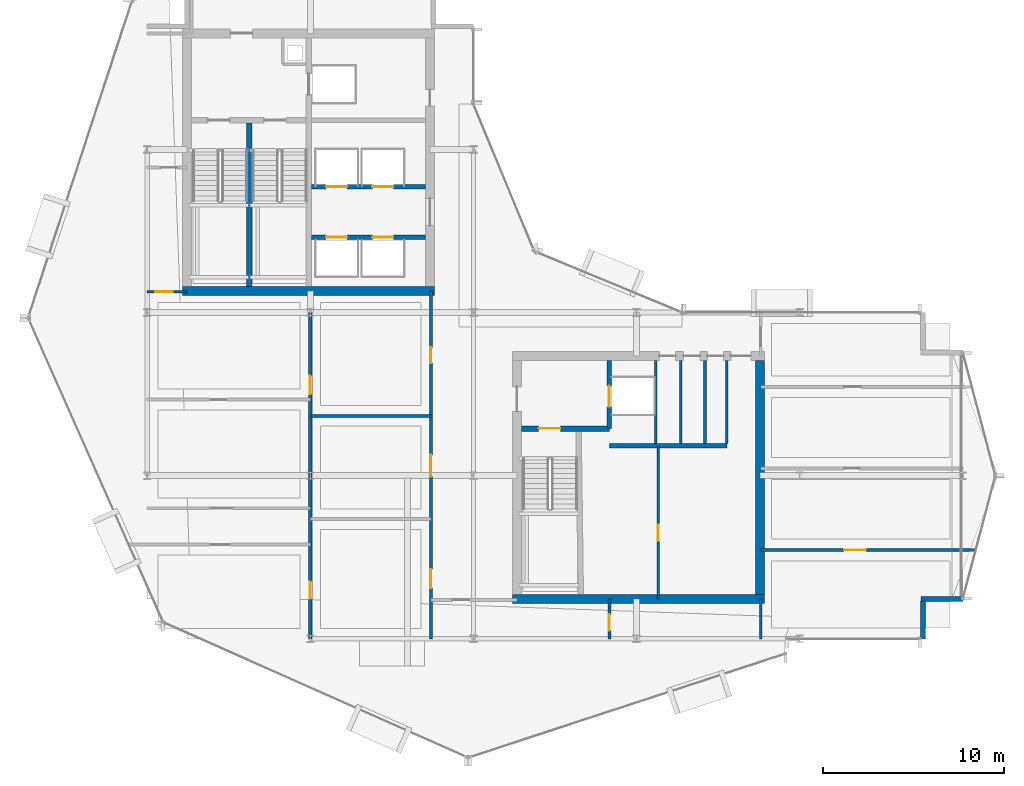
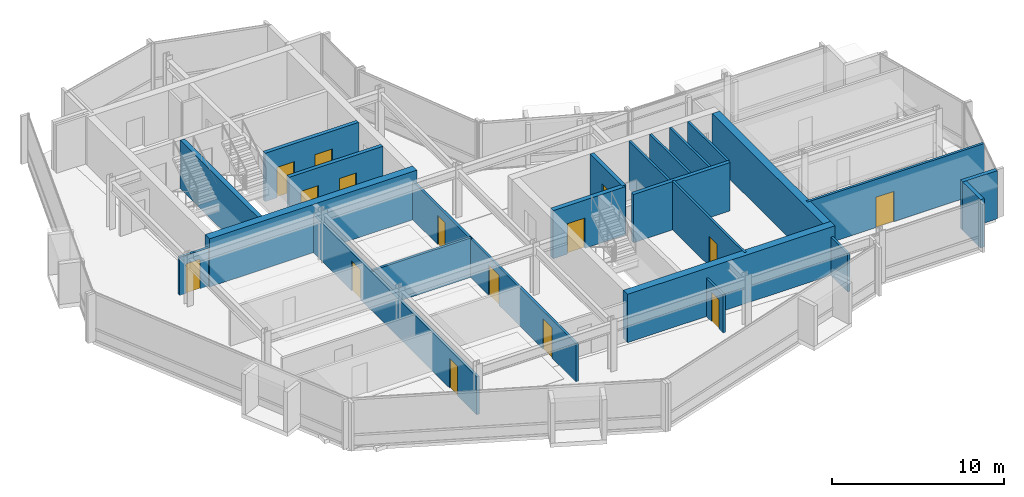
# One storey, part 20 of 28: 23 walls, 15 doors, 15 openings.
"""IFC4 building model written with IfcOpenShell, lengths in metres."""

from ifc_helpers import new_model, si_unit, direction, frame, frame_2d, origin, place, context, subcontext, project, spatial, rectangle, extrude, material, layer, layer_set, type_object, element, fill, save


model = new_model("IFC4")

# Units and contexts
model_context = context("Model", 3, precision=1e-05, world=origin(), true_north=direction((0.0, 1.0)))
body_context = subcontext(model_context, "Body", "Model", "MODEL_VIEW")
ifc_project = project(units=[si_unit("LENGTHUNIT", "METRE"), si_unit("AREAUNIT", "SQUARE_METRE"), si_unit("VOLUMEUNIT", "CUBIC_METRE"), si_unit("PLANEANGLEUNIT", "RADIAN"), si_unit("MASSUNIT", "GRAM", prefix="KILO")], contexts=[model_context])

# Site, building, storey
site_placement = place(None, origin())
site = spatial("IfcSite", under=ifc_project, at=site_placement, CompositionType="ELEMENT")
building_placement = place(site_placement, origin())
building = spatial("IfcBuilding", under=site, at=building_placement, Name="Solvaryn Broadcast Tower", CompositionType="ELEMENT")
storey_placement = place(building_placement, frame((0.0, 0.0, 209.89990234375)))
storey = spatial("IfcBuildingStorey", under=building, at=storey_placement, Name="L52", CompositionType="ELEMENT", Elevation=209.89990234375)

# Walls
ifc_material_1 = material(Name="Concrete f'c 70 MPa", Category="concrete")
ifc_layer_1 = layer(ifc_material_1, 0.5)
ifc_layer_set_1 = layer_set([ifc_layer_1], Name="CW-SHEAR-500")
wall_type_1 = type_object("IfcWallType", Name="CW-SHEAR-500", PredefinedType="SHEAR", material=ifc_layer_set_1)
for number, where, z_axis, x_axis, name in (
    (1, (10.949951171875, 28.199951171875, 0.0), (0.0, 0.0, 1.0), (1.0, 0.0, 0.0), "L52 West Core South Shear Wall"),
    (2, (29.14990234375, 11.199951171875, 0.0), (0.0, 0.0, 1.0), (1.0, 0.0, 0.0), "L52 East Core South Shear Wall"),
):
    element("IfcWall", number, at=place(storey_placement, frame(where, z_axis=z_axis, x_axis=x_axis)), inside=storey, type_object=wall_type_1, Name=name, PredefinedType="SHEAR", context=body_context, shape_type="SweptSolid", body=[
        extrude(rectangle(XDim=13.900146484375, YDim=0.5, at=frame_2d((6.9501953125, 0.0))), origin(), (0.0, 0.0, 1.0), 3.420166015625),
    ])
wall_1_placement = place(storey_placement, frame((42.800048828125, 11.449951171875, 0.0), z_axis=(0.0, 0.0, 1.0), x_axis=(0.0, 1.0, 0.0)))
element("IfcWall", 3, at=wall_1_placement, inside=storey, type_object=wall_type_1, Name="L52 East Core East Shear Wall", PredefinedType="SHEAR", context=body_context, shape_type="SweptSolid", body=[
    extrude(rectangle(XDim=12.900146484375, YDim=0.5, at=frame_2d((6.4501953125, 0.0))), origin(), (0.0, 0.0, 1.0), 3.420166015625),
])
ifc_material_2 = material(Name="Concrete f'c 50 MPa", Category="concrete")
ifc_layer_2 = layer(ifc_material_2, 0.260009765625)
ifc_layer_set_2 = layer_set([ifc_layer_2], Name="EW-PIER-260")
wall_type_2 = type_object("IfcWallType", Name="EW-PIER-260", PredefinedType="SOLIDWALL", material=ifc_layer_set_2)
wall_2_placement = place(storey_placement, frame((51.800048828125, 9.0, 0.0), z_axis=(0.0, 0.0, 1.0), x_axis=(0.0, 1.0, 0.0)))
element("IfcWall", 4, at=wall_2_placement, inside=storey, type_object=wall_type_2, Name="L52 Notched Corner Pier Wall NSE1", PredefinedType="SOLIDWALL", context=body_context, shape_type="SweptSolid", body=[
    extrude(rectangle(XDim=2.080078125, YDim=0.260009765625, at=frame_2d((1.0400390625, 0.0))), origin(), (0.0, 0.0, 1.0), 3.420166015625),
])
wall_3_placement = place(storey_placement, frame((51.679931640625, 11.199951171875, 0.0), z_axis=(0.0, 0.0, 1.0), x_axis=(1.0, 0.0, 0.0)))
element("IfcWall", 5, at=wall_3_placement, inside=storey, type_object=wall_type_2, Name="L52 Notched Corner Pier Wall NSE2", PredefinedType="SOLIDWALL", context=body_context, shape_type="SweptSolid", body=[
    extrude(rectangle(XDim=2.320068359375, YDim=0.260009765625, at=frame_2d((1.16015625, 0.0))), origin(), (0.0, 0.0, 1.0), 3.420166015625),
])

# Wall, opening, door
ifc_material_3 = material(Name="Metal-Stud Service Core Partition")
ifc_layer_3 = layer(ifc_material_3, 0.14990234375)
ifc_layer_set_3 = layer_set([ifc_layer_3], Name="IW-PART-150")
wall_type_3 = type_object("IfcWallType", Name="IW-PART-150", PredefinedType="PARTITIONING", material=ifc_layer_set_3)
wall_4_placement = place(storey_placement, frame((37.199951171875, 11.199951171875, 0.0), z_axis=(0.0, 0.0, 1.0), x_axis=(0.0, 1.0, 0.0)))
wall_4 = element("IfcWall", 6, at=wall_4_placement, inside=storey, type_object=wall_type_3, Name="L52 Interior Partition IW-L52-RPM-V", PredefinedType="PARTITIONING", context=body_context, shape_type="SweptSolid", body=[
    extrude(rectangle(XDim=8.400146484375, YDim=0.14990234375, at=frame_2d((4.2001953125, 0.0))), origin(), (0.0, 0.0, 1.0), 3.420166015625),
])
opening_1_placement = place(wall_4_placement, frame((3.199951171875, 0.0, 0.0)))
opening_1 = element("IfcOpeningElement", 7, at=opening_1_placement, cuts=wall_4, Name="Opening FD60C", PredefinedType="OPENING", context=body_context, shape_type="SweptSolid", body=[
    extrude(rectangle(XDim=0.89990234375, YDim=2.10009765625, at=frame_2d((0.449951171875, 1.050048828125))), frame((0.0, 0.0849609375, 0.0), z_axis=(0.0, -1.0, 0.0), x_axis=(1.0, 0.0, 0.0)), (0.0, 0.0, 1.0), 0.169921875),
])
ifc_material_4 = material(Name="Flush Acoustic Steel and Timber Door Assembly", Category="steel")
door_type_1 = type_object("IfcDoorType", Name="FD60-SERV-900X2100", OperationType="NOTDEFINED", PredefinedType="DOOR", material=ifc_material_4)
door_1_placement = place(opening_1_placement, origin())
door_1 = element("IfcDoor", 8, at=door_1_placement, inside=storey, type_object=door_type_1, Name="L52 Door DR-L52-RPM1", OperationType="SINGLE_SWING_LEFT", OverallHeight=2.10009765625, OverallWidth=0.89990234375, PredefinedType="DOOR", context=body_context, shape_type="SweptSolid", body=[
    extrude(rectangle(XDim=0.89990234375, YDim=2.10009765625, at=frame_2d((0.449951171875, 1.050048828125))), frame((0.0, 0.02490234375, 0.0), z_axis=(0.0, -1.0, 0.0), x_axis=(1.0, 0.0, 0.0)), (0.0, 0.0, 1.0), 0.050048828125),
])
fill(opening_1, door_1)

# Walls
for number, where, z_axis, x_axis, name in (
    (9, (37.050048828125, 19.780029296875, 0.0), (0.0, 0.0, 1.0), (0.0, 1.0, 0.0), "L52 Interior Partition IW-L52-CE-FL2E"),
    (10, (38.43994140625, 19.780029296875, 0.0), (0.0, 0.0, 1.0), (0.0, 1.0, 0.0), "L52 Interior Partition IW-L52-CE-V1"),
    (11, (39.77001953125, 19.780029296875, 0.0), (0.0, 0.0, 1.0), (0.0, 1.0, 0.0), "L52 Interior Partition IW-L52-CE-V2"),
    (12, (40.97998046875, 19.780029296875, 0.0), (0.0, 0.0, 1.0), (0.0, 1.0, 0.0), "L52 Interior Partition IW-L52-CE-V3"),
):
    element("IfcWall", number, at=place(storey_placement, frame(where, z_axis=z_axis, x_axis=x_axis)), inside=storey, type_object=wall_type_3, Name=name, PredefinedType="PARTITIONING", context=body_context, shape_type="SweptSolid", body=[
        extrude(rectangle(XDim=4.570068359375, YDim=0.14990234375, at=frame_2d((2.28515625, 0.0))), origin(), (0.0, 0.0, 1.0), 3.420166015625),
    ])

# Wall, opening, door
wall_5_placement = place(storey_placement, frame((34.5, 9.0, 0.0), z_axis=(0.0, 0.0, 1.0), x_axis=(0.0, 1.0, 0.0)))
wall_5 = element("IfcWall", 13, at=wall_5_placement, inside=storey, type_object=wall_type_3, Name="L52 Interior Partition IW-L52-SC-V", PredefinedType="PARTITIONING", context=body_context, shape_type="SweptSolid", body=[
    extrude(rectangle(XDim=2.199951171875, YDim=0.14990234375, at=frame_2d((1.10009765625, 0.0))), origin(), (0.0, 0.0, 1.0), 2.70703125),
])
opening_2_placement = place(wall_5_placement, frame((0.449951171875, 0.0, 0.0)))
opening_2 = element("IfcOpeningElement", 14, at=opening_2_placement, cuts=wall_5, Name="Opening FD60C", PredefinedType="OPENING", context=body_context, shape_type="SweptSolid", body=[
    extrude(rectangle(XDim=0.89990234375, YDim=2.10009765625, at=frame_2d((0.449951171875, 1.050048828125))), frame((0.0, 0.0849609375, 0.0), z_axis=(0.0, -1.0, 0.0), x_axis=(1.0, 0.0, 0.0)), (0.0, 0.0, 1.0), 0.169921875),
])
door_2_placement = place(opening_2_placement, origin())
door_2 = element("IfcDoor", 15, at=door_2_placement, inside=storey, type_object=door_type_1, Name="L52 Door DR-L52-SC1", OperationType="SINGLE_SWING_LEFT", OverallHeight=2.10009765625, OverallWidth=0.89990234375, PredefinedType="DOOR", context=body_context, shape_type="SweptSolid", body=[
    extrude(rectangle(XDim=0.89990234375, YDim=2.10009765625, at=frame_2d((0.449951171875, 1.050048828125))), frame((0.0, 0.02490234375, 0.0), z_axis=(0.0, -1.0, 0.0), x_axis=(1.0, 0.0, 0.0)), (0.0, 0.0, 1.0), 0.050048828125),
])
fill(opening_2, door_2)

ifc_material_5 = material(Name="Metal-Stud Gypsum Office Partition")
ifc_layer_4 = layer(ifc_material_5, 0.159912109375)
ifc_layer_set_4 = layer_set([ifc_layer_4], Name="IW-PART-160")
wall_type_4 = type_object("IfcWallType", Name="IW-PART-160", PredefinedType="PARTITIONING", material=ifc_layer_set_4)
wall_6_placement = place(storey_placement, frame((9.0, 28.14990234375, 0.0), z_axis=(0.0, 0.0, 1.0), x_axis=(1.0, 0.0, 0.0)))
wall_6 = element("IfcWall", 16, at=wall_6_placement, inside=storey, type_object=wall_type_4, Name="L52 Interior Partition IW-L52-WM-S", PredefinedType="PARTITIONING", context=body_context, shape_type="SweptSolid", body=[
    extrude(rectangle(XDim=2.199951171875, YDim=0.159912109375, at=frame_2d((1.10009765625, 0.0))), origin(), (0.0, 0.0, 1.0), 2.70703125),
])
opening_3_placement = place(wall_6_placement, frame((0.449951171875, 0.0, 0.0)))
opening_3 = element("IfcOpeningElement", 17, at=opening_3_placement, cuts=wall_6, Name="Opening ID01", PredefinedType="OPENING", context=body_context, shape_type="SweptSolid", body=[
    extrude(rectangle(XDim=0.949951171875, YDim=2.10009765625, at=frame_2d((0.47509765625, 1.050048828125))), frame((0.0, 0.090087890625, 0.0), z_axis=(0.0, -1.0, 0.0), x_axis=(1.0, 0.0, 0.0)), (0.0, 0.0, 1.0), 0.179931640625),
])
ifc_material_6 = material(Name="Flush Acoustic Steel and Timber Door Assembly", Category="steel")
door_type_2 = type_object("IfcDoorType", Name="ID-01-950X2100", OperationType="NOTDEFINED", PredefinedType="DOOR", material=ifc_material_6)
door_3_placement = place(opening_3_placement, origin())
door_3 = element("IfcDoor", 18, at=door_3_placement, inside=storey, type_object=door_type_2, Name="L52 Door DR-L52-WM0", OperationType="SINGLE_SWING_RIGHT", OverallHeight=2.10009765625, OverallWidth=0.949951171875, PredefinedType="DOOR", context=body_context, shape_type="SweptSolid", body=[
    extrude(rectangle(XDim=0.949951171875, YDim=2.10009765625, at=frame_2d((0.47509765625, 1.050048828125))), frame((0.0, 0.02490234375, 0.0), z_axis=(0.0, -1.0, 0.0), x_axis=(1.0, 0.0, 0.0)), (0.0, 0.0, 1.0), 0.050048828125),
])
fill(opening_3, door_3)

# Wall, openings, doors
wall_7_placement = place(storey_placement, frame((24.64990234375, 9.0, 0.0), z_axis=(0.0, 0.0, 1.0), x_axis=(0.0, 1.0, 0.0)))
wall_7 = element("IfcWall", 19, at=wall_7_placement, inside=storey, type_object=wall_type_4, Name="L52 Interior Partition IW-L52-SW-EB", PredefinedType="PARTITIONING", context=body_context, shape_type="SweptSolid", body=[
    extrude(rectangle(XDim=19.199951171875, YDim=0.159912109375, at=frame_2d((9.60009765625, 0.0))), origin(), (0.0, 0.0, 1.0), 2.70703125),
])
opening_4_placement = place(wall_7_placement, frame((2.800048828125, 0.0, 0.0)))
opening_4 = element("IfcOpeningElement", 20, at=opening_4_placement, cuts=wall_7, Name="Opening ID03", PredefinedType="OPENING", context=body_context, shape_type="SweptSolid", body=[
    extrude(rectangle(XDim=1.050048828125, YDim=2.14990234375, at=frame_2d((0.52490234375, 1.074951171875))), frame((0.0, 0.090087890625, 0.0), z_axis=(0.0, -1.0, 0.0), x_axis=(1.0, 0.0, 0.0)), (0.0, 0.0, 1.0), 0.179931640625),
])
opening_5_placement = place(wall_7_placement, frame((8.949951171875, 0.0, 0.0)))
opening_5 = element("IfcOpeningElement", 21, at=opening_5_placement, cuts=wall_7, Name="Opening ID04", PredefinedType="OPENING", context=body_context, shape_type="SweptSolid", body=[
    extrude(rectangle(XDim=1.199951171875, YDim=2.14990234375, at=frame_2d((0.60009765625, 1.074951171875))), frame((0.0, 0.090087890625, 0.0), z_axis=(0.0, -1.0, 0.0), x_axis=(1.0, 0.0, 0.0)), (0.0, 0.0, 1.0), 0.179931640625),
])
opening_6_placement = place(wall_7_placement, frame((15.215087890625, 0.0, 0.0)))
opening_6 = element("IfcOpeningElement", 22, at=opening_6_placement, cuts=wall_7, Name="Opening ID07", PredefinedType="OPENING", context=body_context, shape_type="SweptSolid", body=[
    extrude(rectangle(XDim=0.860107421875, YDim=2.050048828125, at=frame_2d((0.43017578125, 1.02490234375))), frame((0.0, 0.090087890625, 0.0), z_axis=(0.0, -1.0, 0.0), x_axis=(1.0, 0.0, 0.0)), (0.0, 0.0, 1.0), 0.179931640625),
])
ifc_material_7 = material(Name="Flush Acoustic Steel and Timber Door Assembly", Category="steel")
door_type_3 = type_object("IfcDoorType", Name="ID-03-1050X2150", OperationType="NOTDEFINED", PredefinedType="DOOR", material=ifc_material_7)
door_4_placement = place(opening_4_placement, origin())
door_4 = element("IfcDoor", 23, at=door_4_placement, inside=storey, type_object=door_type_3, Name="L52 Door DR-L52-SWE-1", OperationType="SINGLE_SWING_RIGHT", OverallHeight=2.14990234375, OverallWidth=1.050048828125, PredefinedType="DOOR", context=body_context, shape_type="SweptSolid", body=[
    extrude(rectangle(XDim=1.050048828125, YDim=2.14990234375, at=frame_2d((0.52490234375, 1.074951171875))), frame((0.0, 0.02490234375, 0.0), z_axis=(0.0, -1.0, 0.0), x_axis=(1.0, 0.0, 0.0)), (0.0, 0.0, 1.0), 0.050048828125),
])
fill(opening_4, door_4)
ifc_material_8 = material(Name="Flush Acoustic Steel and Timber Door Assembly", Category="steel")
door_type_4 = type_object("IfcDoorType", Name="ID-04-1200X2150", OperationType="NOTDEFINED", PredefinedType="DOOR", material=ifc_material_8)
door_5_placement = place(opening_5_placement, origin())
door_5 = element("IfcDoor", 24, at=door_5_placement, inside=storey, type_object=door_type_4, Name="L52 Door DR-L52-SWE-2", OperationType="SINGLE_SWING_LEFT", OverallHeight=2.14990234375, OverallWidth=1.199951171875, PredefinedType="DOOR", context=body_context, shape_type="SweptSolid", body=[
    extrude(rectangle(XDim=1.199951171875, YDim=2.14990234375, at=frame_2d((0.60009765625, 1.074951171875))), frame((0.0, 0.02490234375, 0.0), z_axis=(0.0, -1.0, 0.0), x_axis=(1.0, 0.0, 0.0)), (0.0, 0.0, 1.0), 0.050048828125),
])
fill(opening_5, door_5)
ifc_material_9 = material(Name="Flush Acoustic Steel and Timber Door Assembly", Category="steel")
door_type_5 = type_object("IfcDoorType", Name="ID-07-860X2050", OperationType="NOTDEFINED", PredefinedType="DOOR", material=ifc_material_9)
door_6_placement = place(opening_6_placement, origin())
door_6 = element("IfcDoor", 25, at=door_6_placement, inside=storey, type_object=door_type_5, Name="L52 Door DR-L52-SWE-3", OperationType="SINGLE_SWING_RIGHT", OverallHeight=2.050048828125, OverallWidth=0.860107421875, PredefinedType="DOOR", context=body_context, shape_type="SweptSolid", body=[
    extrude(rectangle(XDim=0.860107421875, YDim=2.050048828125, at=frame_2d((0.43017578125, 1.02490234375))), frame((0.0, 0.02490234375, 0.0), z_axis=(0.0, -1.0, 0.0), x_axis=(1.0, 0.0, 0.0)), (0.0, 0.0, 1.0), 0.050048828125),
])
fill(opening_6, door_6)

# Walls
wall_8_placement = place(storey_placement, frame((18.0, 21.300048828125, 0.0), z_axis=(0.0, 0.0, 1.0), x_axis=(1.0, 0.0, 0.0)))
element("IfcWall", 26, at=wall_8_placement, inside=storey, type_object=wall_type_4, Name="L52 Interior Partition IW-L52-SWE-H2", PredefinedType="PARTITIONING", context=body_context, shape_type="SweptSolid", body=[
    extrude(rectangle(XDim=6.64990234375, YDim=0.159912109375, at=frame_2d((3.324951171875, 0.0))), origin(), (0.0, 0.0, 1.0), 2.7919921875),
])
wall_9_placement = place(storey_placement, frame((42.85009765625, 9.0, 0.0), z_axis=(0.0, 0.0, 1.0), x_axis=(0.0, 1.0, 0.0)))
element("IfcWall", 27, at=wall_9_placement, inside=storey, type_object=wall_type_4, Name="L52 Interior Partition IW-L52-SC-E", PredefinedType="PARTITIONING", context=body_context, shape_type="SweptSolid", body=[
    extrude(rectangle(XDim=2.199951171875, YDim=0.159912109375, at=frame_2d((1.10009765625, 0.0))), origin(), (0.0, 0.0, 1.0), 2.70703125),
])

# Wall, opening, door
wall_10_placement = place(storey_placement, frame((42.85009765625, 13.89990234375, 0.0), z_axis=(0.0, 0.0, 1.0), x_axis=(1.0, 0.0, 0.0)))
wall_10 = element("IfcWall", 28, at=wall_10_placement, inside=storey, type_object=wall_type_4, Name="L52 Interior Partition IW-L52-EW-H1", PredefinedType="PARTITIONING", context=body_context, shape_type="SweptSolid", body=[
    extrude(rectangle(XDim=11.864990234375, YDim=0.159912109375, at=frame_2d((5.9326171875, 0.0))), origin(), (0.0, 0.0, 1.0), 3.420166015625),
])
opening_7_placement = place(wall_10_placement, frame((4.60009765625, 0.0, 0.0)))
opening_7 = element("IfcOpeningElement", 29, at=opening_7_placement, cuts=wall_10, Name="Opening ID04", PredefinedType="OPENING", context=body_context, shape_type="SweptSolid", body=[
    extrude(rectangle(XDim=1.199951171875, YDim=2.14990234375, at=frame_2d((0.60009765625, 1.074951171875))), frame((0.0, 0.090087890625, 0.0), z_axis=(0.0, -1.0, 0.0), x_axis=(1.0, 0.0, 0.0)), (0.0, 0.0, 1.0), 0.179931640625),
])
door_7_placement = place(opening_7_placement, origin())
door_7 = element("IfcDoor", 30, at=door_7_placement, inside=storey, type_object=door_type_4, Name="L52 Door DR-L52-EW-1", OperationType="SINGLE_SWING_LEFT", OverallHeight=2.14990234375, OverallWidth=1.199951171875, PredefinedType="DOOR", context=body_context, shape_type="SweptSolid", body=[
    extrude(rectangle(XDim=1.199951171875, YDim=2.14990234375, at=frame_2d((0.60009765625, 1.074951171875))), frame((0.0, 0.02490234375, 0.0), z_axis=(0.0, -1.0, 0.0), x_axis=(1.0, 0.0, 0.0)), (0.0, 0.0, 1.0), 0.050048828125),
])
fill(opening_7, door_7)

# Wall, openings, doors
ifc_material_10 = material(Name="Acoustic Metal-Stud Gypsum Partition")
ifc_layer_5 = layer(ifc_material_10, 0.179931640625)
ifc_layer_set_5 = layer_set([ifc_layer_5], Name="IW-PART-180")
wall_type_5 = type_object("IfcWallType", Name="IW-PART-180", PredefinedType="PARTITIONING", material=ifc_layer_set_5)
wall_11_placement = place(storey_placement, frame((18.0, 9.0, 0.0), z_axis=(0.0, 0.0, 1.0), x_axis=(0.0, 1.0, 0.0)))
wall_11 = element("IfcWall", 31, at=wall_11_placement, inside=storey, type_object=wall_type_5, Name="L52 Interior Partition IW-L52-SW-VX", PredefinedType="PARTITIONING", context=body_context, shape_type="SweptSolid", body=[
    extrude(rectangle(XDim=19.1298828125, YDim=0.179931640625, at=frame_2d((9.56494140625, 0.0))), origin(), (0.0, 0.0, 1.0), 2.70703125),
])
opening_8_placement = place(wall_11_placement, frame((2.199951171875, 0.0, 0.0)))
opening_8 = element("IfcOpeningElement", 32, at=opening_8_placement, cuts=wall_11, Name="Opening ID01", PredefinedType="OPENING", context=body_context, shape_type="SweptSolid", body=[
    extrude(rectangle(XDim=0.949951171875, YDim=2.10009765625, at=frame_2d((0.47509765625, 1.050048828125))), frame((0.0, 0.099853515625, 0.0), z_axis=(0.0, -1.0, 0.0), x_axis=(1.0, 0.0, 0.0)), (0.0, 0.0, 1.0), 0.199951171875),
])
opening_9_placement = place(wall_11_placement, frame((13.5, 0.0, 0.0)))
opening_9 = element("IfcOpeningElement", 33, at=opening_9_placement, cuts=wall_11, Name="Opening ID02", PredefinedType="OPENING", context=body_context, shape_type="SweptSolid", body=[
    extrude(rectangle(XDim=1.0, YDim=2.10009765625, at=frame_2d((0.5, 1.050048828125))), frame((0.0, 0.099853515625, 0.0), z_axis=(0.0, -1.0, 0.0), x_axis=(1.0, 0.0, 0.0)), (0.0, 0.0, 1.0), 0.199951171875),
])
door_8_placement = place(opening_8_placement, origin())
door_8 = element("IfcDoor", 34, at=door_8_placement, inside=storey, type_object=door_type_2, Name="L52 Door DR-L52-SWW-X1", OperationType="SINGLE_SWING_LEFT", OverallHeight=2.10009765625, OverallWidth=0.949951171875, PredefinedType="DOOR", context=body_context, shape_type="SweptSolid", body=[
    extrude(rectangle(XDim=0.949951171875, YDim=2.10009765625, at=frame_2d((0.47509765625, 1.050048828125))), frame((0.0, 0.02490234375, 0.0), z_axis=(0.0, -1.0, 0.0), x_axis=(1.0, 0.0, 0.0)), (0.0, 0.0, 1.0), 0.050048828125),
])
fill(opening_8, door_8)
ifc_material_11 = material(Name="Flush Acoustic Steel and Timber Door Assembly", Category="steel")
door_type_6 = type_object("IfcDoorType", Name="ID-02-1000X2100", OperationType="NOTDEFINED", PredefinedType="DOOR", material=ifc_material_11)
door_9_placement = place(opening_9_placement, origin())
door_9 = element("IfcDoor", 35, at=door_9_placement, inside=storey, type_object=door_type_6, Name="L52 Door DR-L52-SWW-X2", OperationType="SINGLE_SWING_RIGHT", OverallHeight=2.10009765625, OverallWidth=1.0, PredefinedType="DOOR", context=body_context, shape_type="SweptSolid", body=[
    extrude(rectangle(XDim=1.0, YDim=2.10009765625, at=frame_2d((0.5, 1.050048828125))), frame((0.0, 0.02490234375, 0.0), z_axis=(0.0, -1.0, 0.0), x_axis=(1.0, 0.0, 0.0)), (0.0, 0.0, 1.0), 0.050048828125),
])
fill(opening_9, door_9)

ifc_material_12 = material(Name="Concrete f'c 60 MPa", Category="concrete")
ifc_layer_6 = layer(ifc_material_12, 0.25)
ifc_layer_set_6 = layer_set([ifc_layer_6], Name="SW-SHAFT-250")
wall_type_6 = type_object("IfcWallType", Name="SW-SHAFT-250", PredefinedType="PARTITIONING", material=ifc_layer_set_6)
wall_12_placement = place(storey_placement, frame((18.070068359375, 31.14990234375, 0.0), z_axis=(0.0, 0.0, 1.0), x_axis=(1.0, 0.0, 0.0)))
wall_12 = element("IfcWall", 36, at=wall_12_placement, inside=storey, type_object=wall_type_6, Name="L52 High-Rise Lift Bank South Wall", PredefinedType="PARTITIONING", context=body_context, shape_type="SweptSolid", body=[
    extrude(rectangle(XDim=6.280029296875, YDim=0.25, at=frame_2d((3.14013671875, 0.0))), origin(), (0.0, 0.0, 1.0), 3.420166015625),
])
opening_10_placement = place(wall_12_placement, frame((0.804931640625, 0.0, 0.0)))
opening_10 = element("IfcOpeningElement", 37, at=opening_10_placement, cuts=wall_12, Name="Opening LD01", PredefinedType="OPENING", context=body_context, shape_type="SweptSolid", body=[
    extrude(rectangle(XDim=1.14990234375, YDim=2.14990234375, at=frame_2d((0.574951171875, 1.074951171875))), frame((0.0, 0.135009765625, 0.0), z_axis=(0.0, -1.0, 0.0), x_axis=(1.0, 0.0, 0.0)), (0.0, 0.0, 1.0), 0.27001953125),
])
opening_11_placement = place(wall_12_placement, frame((3.35498046875, 0.0, 0.0)))
opening_11 = element("IfcOpeningElement", 38, at=opening_11_placement, cuts=wall_12, Name="Opening LD01", PredefinedType="OPENING", context=body_context, shape_type="SweptSolid", body=[
    extrude(rectangle(XDim=1.14990234375, YDim=2.14990234375, at=frame_2d((0.574951171875, 1.074951171875))), frame((0.0, 0.135009765625, 0.0), z_axis=(0.0, -1.0, 0.0), x_axis=(1.0, 0.0, 0.0)), (0.0, 0.0, 1.0), 0.27001953125),
])
ifc_material_13 = material(Name="Flush Acoustic Steel and Timber Door Assembly", Category="steel")
door_type_7 = type_object("IfcDoorType", Name="LD-LIFT-1150X2150", OperationType="NOTDEFINED", PredefinedType="DOOR", material=ifc_material_13)
door_10_placement = place(opening_10_placement, origin())
door_10 = element("IfcDoor", 39, at=door_10_placement, inside=storey, type_object=door_type_7, Name="L52 PH1 Lift Landing Door", OperationType="DOUBLE_DOOR_SLIDING", OverallHeight=2.14990234375, OverallWidth=1.14990234375, PredefinedType="DOOR", context=body_context, shape_type="SweptSolid", body=[
    extrude(rectangle(XDim=1.14990234375, YDim=2.14990234375, at=frame_2d((0.574951171875, 1.074951171875))), frame((0.0, 0.02490234375, 0.0), z_axis=(0.0, -1.0, 0.0), x_axis=(1.0, 0.0, 0.0)), (0.0, 0.0, 1.0), 0.050048828125),
])
fill(opening_10, door_10)
door_11_placement = place(opening_11_placement, origin())
door_11 = element("IfcDoor", 40, at=door_11_placement, inside=storey, type_object=door_type_7, Name="L52 PH2 Lift Landing Door", OperationType="DOUBLE_DOOR_SLIDING", OverallHeight=2.14990234375, OverallWidth=1.14990234375, PredefinedType="DOOR", context=body_context, shape_type="SweptSolid", body=[
    extrude(rectangle(XDim=1.14990234375, YDim=2.14990234375, at=frame_2d((0.574951171875, 1.074951171875))), frame((0.0, 0.02490234375, 0.0), z_axis=(0.0, -1.0, 0.0), x_axis=(1.0, 0.0, 0.0)), (0.0, 0.0, 1.0), 0.050048828125),
])
fill(opening_11, door_11)

wall_13_placement = place(storey_placement, frame((24.35009765625, 33.949951171875, 0.0), z_axis=(0.0, 0.0, 1.0), x_axis=(-1.0, 0.0, 0.0)))
wall_13 = element("IfcWall", 41, at=wall_13_placement, inside=storey, type_object=wall_type_6, Name="L52 High-Rise Lift Bank North Wall", PredefinedType="PARTITIONING", context=body_context, shape_type="SweptSolid", body=[
    extrude(rectangle(XDim=6.280029296875, YDim=0.25, at=frame_2d((3.14013671875, 0.0))), origin(), (0.0, 0.0, 1.0), 3.420166015625),
])
opening_12_placement = place(wall_13_placement, frame((4.324951171875, 0.0, 0.0)))
opening_12 = element("IfcOpeningElement", 42, at=opening_12_placement, cuts=wall_13, Name="Opening LD01", PredefinedType="OPENING", context=body_context, shape_type="SweptSolid", body=[
    extrude(rectangle(XDim=1.14990234375, YDim=2.14990234375, at=frame_2d((0.574951171875, 1.074951171875))), frame((0.0, 0.135009765625, 0.0), z_axis=(0.0, -1.0, 0.0), x_axis=(1.0, 0.0, 0.0)), (0.0, 0.0, 1.0), 0.27001953125),
])
opening_13_placement = place(wall_13_placement, frame((1.77490234375, 0.0, 0.0)))
opening_13 = element("IfcOpeningElement", 43, at=opening_13_placement, cuts=wall_13, Name="Opening LD01", PredefinedType="OPENING", context=body_context, shape_type="SweptSolid", body=[
    extrude(rectangle(XDim=1.14990234375, YDim=2.14990234375, at=frame_2d((0.574951171875, 1.074951171875))), frame((0.0, 0.135009765625, 0.0), z_axis=(0.0, -1.0, 0.0), x_axis=(1.0, 0.0, 0.0)), (0.0, 0.0, 1.0), 0.27001953125),
])
door_12_placement = place(opening_12_placement, origin())
door_12 = element("IfcDoor", 44, at=door_12_placement, inside=storey, type_object=door_type_7, Name="L52 PH3 Lift Landing Door", OperationType="DOUBLE_DOOR_SLIDING", OverallHeight=2.14990234375, OverallWidth=1.14990234375, PredefinedType="DOOR", context=body_context, shape_type="SweptSolid", body=[
    extrude(rectangle(XDim=1.14990234375, YDim=2.14990234375, at=frame_2d((0.574951171875, 1.074951171875))), frame((0.0, 0.02490234375, 0.0), z_axis=(0.0, -1.0, 0.0), x_axis=(1.0, 0.0, 0.0)), (0.0, 0.0, 1.0), 0.050048828125),
])
fill(opening_12, door_12)
door_13_placement = place(opening_13_placement, origin())
door_13 = element("IfcDoor", 45, at=door_13_placement, inside=storey, type_object=door_type_7, Name="L52 PH4 Lift Landing Door", OperationType="DOUBLE_DOOR_SLIDING", OverallHeight=2.14990234375, OverallWidth=1.14990234375, PredefinedType="DOOR", context=body_context, shape_type="SweptSolid", body=[
    extrude(rectangle(XDim=1.14990234375, YDim=2.14990234375, at=frame_2d((0.574951171875, 1.074951171875))), frame((0.0, 0.02490234375, 0.0), z_axis=(0.0, -1.0, 0.0), x_axis=(1.0, 0.0, 0.0)), (0.0, 0.0, 1.0), 0.050048828125),
])
fill(opening_13, door_13)

# Wall, opening, door
wall_14_placement = place(storey_placement, frame((34.5, 20.60009765625, 0.0), z_axis=(0.0, 0.0, 1.0), x_axis=(0.0, 1.0, 0.0)))
wall_14 = element("IfcWall", 46, at=wall_14_placement, inside=storey, type_object=wall_type_6, Name="L52 East FSAE Lobby East Wall", PredefinedType="PARTITIONING", context=body_context, shape_type="SweptSolid", body=[
    extrude(rectangle(XDim=3.75, YDim=0.25, at=frame_2d((1.875, 0.0))), origin(), (0.0, 0.0, 1.0), 3.420166015625),
])
opening_14_placement = place(wall_14_placement, frame((1.199951171875, 0.0, 0.0)))
opening_14 = element("IfcOpeningElement", 47, at=opening_14_placement, cuts=wall_14, Name="Opening LD01", PredefinedType="OPENING", context=body_context, shape_type="SweptSolid", body=[
    extrude(rectangle(XDim=1.14990234375, YDim=2.14990234375, at=frame_2d((0.574951171875, 1.074951171875))), frame((0.0, 0.135009765625, 0.0), z_axis=(0.0, -1.0, 0.0), x_axis=(1.0, 0.0, 0.0)), (0.0, 0.0, 1.0), 0.27001953125),
])
door_14_placement = place(opening_14_placement, origin())
door_14 = element("IfcDoor", 48, at=door_14_placement, inside=storey, type_object=door_type_7, Name="L52 FL2 Lift Landing Door", OperationType="DOUBLE_DOOR_SLIDING", OverallHeight=2.14990234375, OverallWidth=1.14990234375, PredefinedType="DOOR", context=body_context, shape_type="SweptSolid", body=[
    extrude(rectangle(XDim=1.14990234375, YDim=2.14990234375, at=frame_2d((0.574951171875, 1.074951171875))), frame((0.0, 0.02490234375, 0.0), z_axis=(0.0, -1.0, 0.0), x_axis=(1.0, 0.0, 0.0)), (0.0, 0.0, 1.0), 0.050048828125),
])
fill(opening_14, door_14)

# Walls
wall_15_placement = place(storey_placement, frame((34.5, 19.64990234375, 0.0), z_axis=(0.0, 0.0, 1.0), x_axis=(1.0, 0.0, 0.0)))
element("IfcWall", 49, at=wall_15_placement, inside=storey, type_object=wall_type_6, Name="L52 East Core Restroom South Wall", PredefinedType="PARTITIONING", context=body_context, shape_type="SweptSolid", body=[
    extrude(rectangle(XDim=6.47998046875, YDim=0.25, at=frame_2d((3.239990234375, 0.0))), origin(), (0.0, 0.0, 1.0), 3.420166015625),
])
ifc_material_14 = material(Name="Concrete f'c 70 MPa", Category="concrete")
ifc_layer_7 = layer(ifc_material_14, 0.300048828125)
ifc_layer_set_7 = layer_set([ifc_layer_7], Name="SW-SHAFT-300")
wall_type_7 = type_object("IfcWallType", Name="SW-SHAFT-300", PredefinedType="SHEAR", material=ifc_layer_set_7)
wall_16_placement = place(storey_placement, frame((14.6201171875, 28.449951171875, 0.0), z_axis=(0.0, 0.0, 1.0), x_axis=(0.0, 1.0, 0.0)))
element("IfcWall", 50, at=wall_16_placement, inside=storey, type_object=wall_type_7, Name="L52 Stair 1-2 Dividing Wall", PredefinedType="SHEAR", context=body_context, shape_type="SweptSolid", body=[
    extrude(rectangle(XDim=9.0, YDim=0.300048828125, at=frame_2d((4.5, 0.0))), origin(), (0.0, 0.0, 1.0), 3.420166015625),
])

# Wall, opening, door
wall_17_placement = place(storey_placement, frame((34.5, 20.60009765625, 0.0), z_axis=(0.0, 0.0, 1.0), x_axis=(-1.0, 0.0, 0.0)))
wall_17 = element("IfcWall", 51, at=wall_17_placement, inside=storey, type_object=wall_type_7, Name="L52 East FSAE Lobby South Wall", PredefinedType="SHEAR", context=body_context, shape_type="SweptSolid", body=[
    extrude(rectangle(XDim=4.85009765625, YDim=0.300048828125, at=frame_2d((2.425048828125, 0.0))), origin(), (0.0, 0.0, 1.0), 3.420166015625),
])
opening_15_placement = place(wall_17_placement, frame((2.699951171875, 0.0, 0.0)))
opening_15 = element("IfcOpeningElement", 52, at=opening_15_placement, cuts=wall_17, Name="Opening FD90A", PredefinedType="OPENING", context=body_context, shape_type="SweptSolid", body=[
    extrude(rectangle(XDim=1.199951171875, YDim=2.14990234375, at=frame_2d((0.60009765625, 1.074951171875))), frame((0.0, 0.159912109375, 0.0), z_axis=(0.0, -1.0, 0.0), x_axis=(1.0, 0.0, 0.0)), (0.0, 0.0, 1.0), 0.320068359375),
])
ifc_material_15 = material(Name="Flush Acoustic Steel and Timber Door Assembly", Category="steel")
door_type_8 = type_object("IfcDoorType", Name="FD90-STAIR-1200X2150", OperationType="NOTDEFINED", PredefinedType="DOOR", material=ifc_material_15)
door_15_placement = place(opening_15_placement, origin())
door_15 = element("IfcDoor", 53, at=door_15_placement, inside=storey, type_object=door_type_8, Name="L52 Stair 3 Fire Door", OperationType="SINGLE_SWING_LEFT", OverallHeight=2.14990234375, OverallWidth=1.199951171875, PredefinedType="DOOR", context=body_context, shape_type="SweptSolid", body=[
    extrude(rectangle(XDim=1.199951171875, YDim=2.14990234375, at=frame_2d((0.60009765625, 1.074951171875))), frame((0.0, 0.02490234375, 0.0), z_axis=(0.0, -1.0, 0.0), x_axis=(1.0, 0.0, 0.0)), (0.0, 0.0, 1.0), 0.050048828125),
])
fill(opening_15, door_15)

save(model, "model.ifc")
